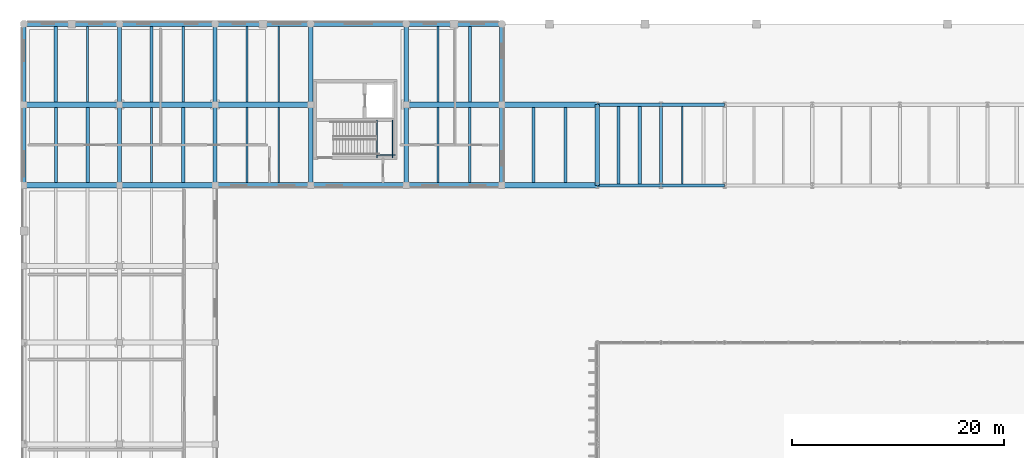
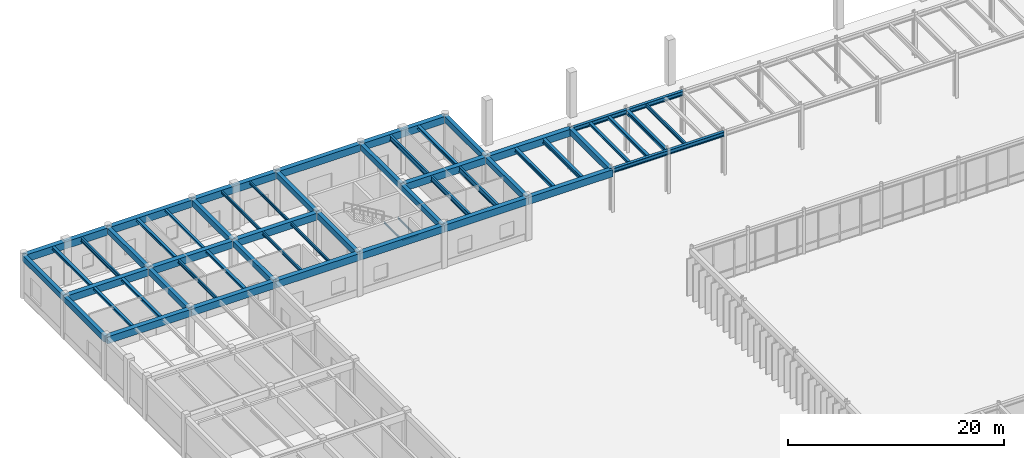
# One storey, part 25 of 64: 58 beams.
"""IFC4 building model written with IfcOpenShell, lengths in metres."""

import ifcopenshell
import ifcopenshell.guid

model = None  # the IFC model being written
_history = None  # IfcOwnerHistory: only IFC2X3 demands one
_inside = {}  # id of a spatial element -> (the spatial element, [elements in it])
_under = {}  # id of a project, library or spatial element -> (it, [spatial elements below it])
_declared = {}  # id of a project -> (the project, [libraries it declares])
_typed = {}  # id of a type object -> (the type object, [elements of that type])
_made_of = {}  # id of a material, layer set ... -> (it, [elements and type objects made of it])


def new_model(schema):
    """Start an empty IFC model of exactly this schema.

    Asked for "IFC4X3", IfcOpenShell would pick the latest addendum, in which some entities
    have other attributes; the version numbers below select the first issue.
    IFC2X3 requires an IfcOwnerHistory on every rooted entity: one is made here for all.
    """
    global model, _history
    if schema == "IFC4X3":
        model = ifcopenshell.file(schema_version=(4, 3, 0, 0))
    else:
        model = ifcopenshell.file(schema=schema)
    _inside.clear()
    _under.clear()
    _declared.clear()
    _typed.clear()
    _made_of.clear()
    _history = None
    if model.schema == "IFC2X3":
        org = make("IfcOrganization", Name="unknown")
        user = make(
            "IfcPersonAndOrganization",
            ThePerson=make("IfcPerson", FamilyName="unknown"),
            TheOrganization=org,
        )
        app = make(
            "IfcApplication",
            ApplicationDeveloper=org,
            Version="unknown",
            ApplicationFullName="unknown",
            ApplicationIdentifier="unknown",
        )
        _history = make(
            "IfcOwnerHistory",
            OwningUser=user,
            OwningApplication=app,
            ChangeAction="ADDED",
            CreationDate=0,
        )
    return model


def make(cls, **values):
    """One entity of the class cls with the attributes given. An attribute that is None is left unset."""
    return model.create_entity(
        cls, **{name: value for name, value in values.items() if value is not None}
    )


def rooted(cls, **values):
    """An entity with a GlobalId (a new one), such as an element, a storey or a relation."""
    return make(cls, GlobalId=ifcopenshell.guid.new(), OwnerHistory=_history, **values)


def si_unit(unit_type, name, prefix=None):
    """IfcSIUnit, for example si_unit("LENGTHUNIT", "METRE", prefix="MILLI")."""
    return make("IfcSIUnit", UnitType=unit_type, Prefix=prefix, Name=name)


def assignment(units):
    """IfcUnitAssignment: the units of a project."""
    return None if units is None else make("IfcUnitAssignment", Units=units)


def point(xyz):
    """IfcCartesianPoint."""
    return None if xyz is None else make("IfcCartesianPoint", Coordinates=xyz)


def direction(xyz):
    """IfcDirection."""
    return None if xyz is None else make("IfcDirection", DirectionRatios=xyz)


def frame(location, z_axis=None, x_axis=None):
    """IfcAxis2Placement3D, a coordinate frame: its origin and axes. An axis left out is left unset."""
    return make(
        "IfcAxis2Placement3D",
        Location=point(location),
        Axis=direction(z_axis),
        RefDirection=direction(x_axis),
    )


def frame_2d(location, x_axis=None):
    """IfcAxis2Placement2D, a coordinate frame in the plane: its origin and x axis."""
    return make(
        "IfcAxis2Placement2D", Location=point(location), RefDirection=direction(x_axis)
    )


def origin():
    """The frame at (0, 0, 0) with its axes left unset."""
    return frame((0.0, 0.0, 0.0))


def origin_2d():
    """The frame at (0, 0) in the plane with its x axis left unset."""
    return frame_2d((0.0, 0.0))


def place(relative_to, where):
    """IfcLocalPlacement: puts the frame where relative to a parent placement (None: the world)."""
    return make(
        "IfcLocalPlacement", PlacementRelTo=relative_to, RelativePlacement=where
    )


def context(
    kind, dimensions, precision=None, world=None, true_north=None, identifier=None
):
    """IfcGeometricRepresentationContext, for example the 3D "Model" context."""
    return make(
        "IfcGeometricRepresentationContext",
        ContextIdentifier=identifier,
        ContextType=kind,
        CoordinateSpaceDimension=dimensions,
        Precision=precision,
        WorldCoordinateSystem=world,
        TrueNorth=true_north,
    )


def subcontext(parent, identifier, kind, view, scale=None):
    """IfcGeometricRepresentationSubContext, for example "Body" below "Model"."""
    return make(
        "IfcGeometricRepresentationSubContext",
        ContextIdentifier=identifier,
        ContextType=kind,
        ParentContext=parent,
        TargetScale=scale,
        TargetView=view,
    )


def project(units=None, contexts=None):
    """IfcProject with its units and contexts."""
    return rooted(
        "IfcProject",
        Name="project",
        RepresentationContexts=contexts,
        UnitsInContext=assignment(units),
    )


def spatial(cls, under=None, at=None, **own):
    """A site, building, storey or space (cls), placed at a placement, below another one or the project."""
    s = rooted(cls, ObjectPlacement=at, **own)
    if under is not None:
        _under.setdefault(under.id(), (under, []))[1].append(s)
    return s


def profile(cls, at=None, kind="AREA", **sizes):
    """A parametric profile (cls). Its sizes go by their IFC names, for example OverallWidth=200.0."""
    return make(cls, ProfileType=kind, Position=at, **sizes)


def rectangle(**sizes):
    """IfcRectangleProfileDef."""
    return profile("IfcRectangleProfileDef", **sizes)


def i_section(**sizes):
    """IfcIShapeProfileDef."""
    return profile("IfcIShapeProfileDef", **sizes)


def extrude(swept, where, along, depth):
    """IfcExtrudedAreaSolid: the profile swept, set in the frame where, extruded along a direction by depth."""
    return make(
        "IfcExtrudedAreaSolid",
        SweptArea=swept,
        Position=where,
        ExtrudedDirection=direction(along),
        Depth=depth,
    )


def shape(context_of_items, identifier, shape_type, items):
    """IfcShapeRepresentation: the items that make up one representation, for example the "Body"."""
    return make(
        "IfcShapeRepresentation",
        ContextOfItems=context_of_items,
        RepresentationIdentifier=identifier,
        RepresentationType=shape_type,
        Items=items,
    )


def material(Name=None, Category=None):
    """IfcMaterial."""
    return make("IfcMaterial", Name=Name, Category=Category)


def material_profile(
    of_material, cross_section, Name=None, Category=None, Priority=None
):
    """IfcMaterialProfile: a cross section and its material."""
    return make(
        "IfcMaterialProfile",
        Name=Name,
        Material=of_material,
        Profile=cross_section,
        Priority=Priority,
        Category=Category,
    )


def profile_set(profiles, Name=None, composite=None):
    """IfcMaterialProfileSet."""
    return make(
        "IfcMaterialProfileSet",
        Name=Name,
        MaterialProfiles=profiles,
        CompositeProfile=composite,
    )


def made_of(thing, what):
    """Note that an element or type object is made of a material, layer set ...; save() writes the relation."""
    if what is not None:
        _made_of.setdefault(what.id(), (what, []))[1].append(thing)
    return thing


def type_object(cls, material=None, **own):
    """A type object (cls), such as IfcWallType, which elements share."""
    return made_of(rooted(cls, **own), material)


def element(
    cls,
    number,
    at=None,
    inside=None,
    cuts=None,
    type_object=None,
    material=None,
    context=None,
    identifier="Body",
    shape_type=None,
    held_by="IfcProductDefinitionShape",
    body=None,
    shapes=None,
    **own,
):
    """One element of the class cls, such as IfcWall. Its Tag is "e" and its number.

    at: its placement. inside: the storey or other place that contains it. cuts: it is an
    opening in that element (IfcRelVoidsElement). A single representation is given by context,
    identifier, shape_type and body (its items); several are given by shapes. held_by: the class
    of the entity that holds the representations. save() writes the other relations.
    """
    e = rooted(cls, Tag="e%d" % number, ObjectPlacement=at, **own)
    if body is not None:
        shapes = [shape(context, identifier, shape_type, body)]
    if shapes is not None:
        e.Representation = make(held_by, Representations=shapes)
    if inside is not None:
        _inside.setdefault(inside.id(), (inside, []))[1].append(e)
    if cuts is not None:
        rooted(
            "IfcRelVoidsElement", RelatingBuildingElement=cuts, RelatedOpeningElement=e
        )
    if type_object is not None:
        _typed.setdefault(type_object.id(), (type_object, []))[1].append(e)
    return made_of(e, material)


def aggregate(whole, parts):
    """IfcRelAggregates: a whole, such as a stair, and the parts it consists of."""
    return rooted("IfcRelAggregates", RelatingObject=whole, RelatedObjects=parts)


def save(model, path):
    """Write the relations noted so far, then the file.

    IfcRelAggregates (storeys below a building ...), IfcRelContainedInSpatialStructure (elements
    in a storey), IfcRelDefinesByType, IfcRelAssociatesMaterial and IfcRelDeclares: one each for
    every whole, place, type object, material and project.
    """
    for whole, parts in _under.values():
        aggregate(whole, parts)
    for where, things in _inside.values():
        rooted(
            "IfcRelContainedInSpatialStructure",
            RelatedElements=things,
            RelatingStructure=where,
        )
    for kind, things in _typed.values():
        rooted("IfcRelDefinesByType", RelatedObjects=things, RelatingType=kind)
    for what, things in _made_of.values():
        rooted("IfcRelAssociatesMaterial", RelatedObjects=things, RelatingMaterial=what)
    for by, libraries in _declared.values():
        rooted("IfcRelDeclares", RelatingContext=by, RelatedDefinitions=libraries)
    model.write(path)


model = new_model("IFC4")

# Units and contexts
model_context = context("Model", 3, precision=1e-05, world=origin(), true_north=direction((0.0, 1.0)))
body_context = subcontext(model_context, "Body", "Model", "MODEL_VIEW")
ifc_project = project(units=[si_unit("LENGTHUNIT", "METRE"), si_unit("AREAUNIT", "SQUARE_METRE"), si_unit("VOLUMEUNIT", "CUBIC_METRE"), si_unit("PLANEANGLEUNIT", "RADIAN"), si_unit("MASSUNIT", "GRAM", prefix="KILO")], contexts=[model_context])

# Site, building, storey
site_placement = place(None, origin())
site = spatial("IfcSite", under=ifc_project, at=site_placement, CompositionType="ELEMENT")
building_placement = place(site_placement, origin())
building = spatial("IfcBuilding", under=site, at=building_placement, Name="Montealbar Specialist Clinic", CompositionType="ELEMENT")
storey_placement = place(building_placement, origin())
storey = spatial("IfcBuildingStorey", under=building, at=storey_placement, Name="L00", CompositionType="ELEMENT", Elevation=0.0)

# Beams
ifc_material_1 = material(Name="Steel S355", Category="steel")
ifc_material_profile_1 = material_profile(ifc_material_1, i_section(OverallWidth=0.300048828125, OverallDepth=0.449951171875, WebThickness=0.013916015625, FlangeThickness=0.02587890625, FilletRadius=0.027099609375, at=origin_2d()), Name="HEB 450", Category="steel")
ifc_profile_set_1 = profile_set([ifc_material_profile_1], Name="Steel S355")
beam_type_1 = type_object("IfcBeamType", Name="BM-GIRD-HEB450", PredefinedType="BEAM", material=ifc_profile_set_1)
beam_1_placement = place(storey_placement, frame((60.0, 95.800048828125, 4.5849609375), z_axis=(0.0, 1.0, 0.0), x_axis=(-1.0, 0.0, 0.0)))
element("IfcBeam", 1, at=beam_1_placement, inside=storey, type_object=beam_type_1, Name="Beam GY-L00-600-958-1034", PredefinedType="BEAM", context=body_context, shape_type="SweptSolid", body=[
    extrude(i_section(OverallWidth=0.300048828125, OverallDepth=0.449951171875, WebThickness=0.013916015625, FlangeThickness=0.02587890625, FilletRadius=0.027099609375, at=origin_2d()), origin(), (0.0, 0.0, 1.0), 7.599853515625),
])
ifc_material_profile_2 = material_profile(ifc_material_1, i_section(OverallWidth=0.300048828125, OverallDepth=0.5, WebThickness=0.014404296875, FlangeThickness=0.028076171875, FilletRadius=0.027099609375, at=origin_2d()), Name="HEB 500", Category="steel")
ifc_profile_set_2 = profile_set([ifc_material_profile_2], Name="Steel S355")
beam_type_2 = type_object("IfcBeamType", Name="BM-GIRD-HEB500", PredefinedType="BEAM", material=ifc_profile_set_2)
for number, where, z_axis, x_axis, name in (
    (2, (54.0, 103.39990234375, 4.56005859375), (1.0, 0.0, 0.0), (0.0, 1.0, 0.0), "Beam GX-L00-540-600-1034"),
    (3, (60.0, 103.39990234375, 4.56005859375), (1.0, 0.0, 0.0), (0.0, 1.0, 0.0), "Beam GX-L00-600-660-1034"),
):
    element("IfcBeam", number, at=place(storey_placement, frame(where, z_axis=z_axis, x_axis=x_axis)), inside=storey, type_object=beam_type_2, Name=name, PredefinedType="BEAM", context=body_context, shape_type="SweptSolid", body=[
        extrude(i_section(OverallWidth=0.300048828125, OverallDepth=0.5, WebThickness=0.014404296875, FlangeThickness=0.028076171875, FilletRadius=0.027099609375, at=origin_2d()), origin(), (0.0, 0.0, 1.0), 6.0),
    ])
ifc_material_profile_3 = material_profile(ifc_material_1, i_section(OverallWidth=0.300048828125, OverallDepth=0.5, WebThickness=0.014404296875, FlangeThickness=0.028076171875, FilletRadius=0.027099609375, at=origin_2d()), Name="HEB 500", Category="steel")
ifc_profile_set_3 = profile_set([ifc_material_profile_3], Name="Steel S355")
beam_type_3 = type_object("IfcBeamType", Name="BM-GIRD-HEB500-EXT", PredefinedType="BEAM", material=ifc_profile_set_3)
for number, where, z_axis, x_axis, name in (
    (4, (54.0, 95.800048828125, 4.56005859375), (1.0, 0.0, 0.0), (0.0, 1.0, 0.0), "Beam GX-L00-540-600-958"),
    (5, (60.0, 95.800048828125, 4.56005859375), (1.0, 0.0, 0.0), (0.0, 1.0, 0.0), "Beam GX-L00-600-660-958"),
):
    element("IfcBeam", number, at=place(storey_placement, frame(where, z_axis=z_axis, x_axis=x_axis)), inside=storey, type_object=beam_type_3, Name=name, PredefinedType="BEAM", context=body_context, shape_type="SweptSolid", body=[
        extrude(i_section(OverallWidth=0.300048828125, OverallDepth=0.5, WebThickness=0.014404296875, FlangeThickness=0.028076171875, FilletRadius=0.027099609375, at=origin_2d()), origin(), (0.0, 0.0, 1.0), 6.0),
    ])
ifc_material_profile_4 = material_profile(ifc_material_1, i_section(OverallWidth=0.300048828125, OverallDepth=0.35009765625, WebThickness=0.010009765625, FlangeThickness=0.017578125, FilletRadius=0.027099609375, at=origin_2d()), Name="HEA 360", Category="steel")
ifc_profile_set_4 = profile_set([ifc_material_profile_4], Name="Steel S355")
beam_type_4 = type_object("IfcBeamType", Name="BM-JST-HEA360", PredefinedType="JOIST", material=ifc_profile_set_4)
beam_2_placement = place(storey_placement, frame((42.0, 103.64990234375, 4.635009765625), z_axis=(0.0, 1.0, 0.0), x_axis=(-1.0, 0.0, 0.0)))
element("IfcBeam", 6, at=beam_2_placement, inside=storey, type_object=beam_type_4, Name="Beam JST-L00-420-1036-1108", PredefinedType="JOIST", context=body_context, shape_type="SweptSolid", body=[
    extrude(i_section(OverallWidth=0.300048828125, OverallDepth=0.35009765625, WebThickness=0.010009765625, FlangeThickness=0.017578125, FilletRadius=0.027099609375, at=origin_2d()), origin(), (0.0, 0.0, 1.0), 7.10009765625),
])
ifc_material_profile_5 = material_profile(ifc_material_1, i_section(OverallWidth=0.300048828125, OverallDepth=0.43994140625, WebThickness=0.011474609375, FlangeThickness=0.02099609375, FilletRadius=0.027099609375, at=origin_2d()), Name="HEA 450", Category="steel")
ifc_profile_set_5 = profile_set([ifc_material_profile_5], Name="Steel S355")
beam_type_5 = type_object("IfcBeamType", Name="BM-JST-HEA450", PredefinedType="JOIST", material=ifc_profile_set_5)
beam_3_placement = place(storey_placement, frame((48.0, 96.050048828125, 4.590087890625), z_axis=(0.0, 1.0, 0.0), x_axis=(-1.0, 0.0, 0.0)))
element("IfcBeam", 7, at=beam_3_placement, inside=storey, type_object=beam_type_5, Name="Beam JST-L00-480-960-1032", PredefinedType="JOIST", context=body_context, shape_type="SweptSolid", body=[
    extrude(i_section(OverallWidth=0.300048828125, OverallDepth=0.43994140625, WebThickness=0.011474609375, FlangeThickness=0.02099609375, FilletRadius=0.027099609375, at=origin_2d()), origin(), (0.0, 0.0, 1.0), 7.099853515625),
])
ifc_material_profile_6 = material_profile(ifc_material_1, i_section(OverallWidth=0.300048828125, OverallDepth=0.489990234375, WebThickness=0.011962890625, FlangeThickness=0.02294921875, FilletRadius=0.027099609375, at=origin_2d()), Name="HEA 500", Category="steel")
ifc_profile_set_6 = profile_set([ifc_material_profile_6], Name="Steel S355")
beam_type_6 = type_object("IfcBeamType", Name="BM-JST-HEA500", PredefinedType="JOIST", material=ifc_profile_set_6)
beam_4_placement = place(storey_placement, frame((51.0, 96.050048828125, 4.56494140625), z_axis=(0.0, 1.0, 0.0), x_axis=(-1.0, 0.0, 0.0)))
element("IfcBeam", 8, at=beam_4_placement, inside=storey, type_object=beam_type_6, Name="Beam JST-L00-510-960-1032", PredefinedType="JOIST", context=body_context, shape_type="SweptSolid", body=[
    extrude(i_section(OverallWidth=0.300048828125, OverallDepth=0.489990234375, WebThickness=0.011962890625, FlangeThickness=0.02294921875, FilletRadius=0.027099609375, at=origin_2d()), origin(), (0.0, 0.0, 1.0), 7.099853515625),
])
ifc_material_profile_7 = material_profile(ifc_material_1, i_section(OverallWidth=0.280029296875, OverallDepth=0.280029296875, WebThickness=0.010498046875, FlangeThickness=0.01806640625, FilletRadius=0.02392578125, at=origin_2d()), Name="HEB 280", Category="steel")
ifc_profile_set_7 = profile_set([ifc_material_profile_7], Name="Steel S355")
beam_type_7 = type_object("IfcBeamType", Name="BM-JST-HEB280", PredefinedType="JOIST", material=ifc_profile_set_7)
beam_5_placement = place(storey_placement, frame((3.0, 96.050048828125, 4.669921875), z_axis=(0.0, 1.0, 0.0), x_axis=(-1.0, 0.0, 0.0)))
element("IfcBeam", 9, at=beam_5_placement, inside=storey, type_object=beam_type_7, Name="Beam JST-L00-30-960-1032", PredefinedType="JOIST", context=body_context, shape_type="SweptSolid", body=[
    extrude(i_section(OverallWidth=0.280029296875, OverallDepth=0.280029296875, WebThickness=0.010498046875, FlangeThickness=0.01806640625, FilletRadius=0.02392578125, at=origin_2d()), origin(), (0.0, 0.0, 1.0), 7.099853515625),
])
beam_6_placement = place(storey_placement, frame((56.0, 95.949951171875, 4.669921875), z_axis=(0.0, 1.0, 0.0), x_axis=(-1.0, 0.0, 0.0)))
element("IfcBeam", 10, at=beam_6_placement, inside=storey, type_object=beam_type_7, Name="Beam JST-L00-560-960-1032", PredefinedType="JOIST", context=body_context, shape_type="SweptSolid", body=[
    extrude(i_section(OverallWidth=0.280029296875, OverallDepth=0.280029296875, WebThickness=0.010498046875, FlangeThickness=0.01806640625, FilletRadius=0.02392578125, at=origin_2d()), origin(), (0.0, 0.0, 1.0), 7.300048828125),
])
ifc_material_profile_8 = material_profile(ifc_material_1, i_section(OverallWidth=0.300048828125, OverallDepth=0.320068359375, WebThickness=0.011474609375, FlangeThickness=0.0205078125, FilletRadius=0.027099609375, at=origin_2d()), Name="HEB 320", Category="steel")
ifc_profile_set_8 = profile_set([ifc_material_profile_8], Name="Steel S355")
beam_type_8 = type_object("IfcBeamType", Name="BM-JST-HEB320", PredefinedType="JOIST", material=ifc_profile_set_8)
beam_7_placement = place(storey_placement, frame((6.0, 96.050048828125, 4.64990234375), z_axis=(0.0, 1.0, 0.0), x_axis=(-1.0, 0.0, 0.0)))
element("IfcBeam", 11, at=beam_7_placement, inside=storey, type_object=beam_type_8, Name="Beam JST-L00-60-960-1032", PredefinedType="JOIST", context=body_context, shape_type="SweptSolid", body=[
    extrude(i_section(OverallWidth=0.300048828125, OverallDepth=0.320068359375, WebThickness=0.011474609375, FlangeThickness=0.0205078125, FilletRadius=0.027099609375, at=origin_2d()), origin(), (0.0, 0.0, 1.0), 7.099853515625),
])
beam_8_placement = place(storey_placement, frame((3.0, 103.64990234375, 4.64990234375), z_axis=(0.0, 1.0, 0.0), x_axis=(-1.0, 0.0, 0.0)))
element("IfcBeam", 12, at=beam_8_placement, inside=storey, type_object=beam_type_8, Name="Beam JST-L00-30-1036-1108", PredefinedType="JOIST", context=body_context, shape_type="SweptSolid", body=[
    extrude(i_section(OverallWidth=0.300048828125, OverallDepth=0.320068359375, WebThickness=0.011474609375, FlangeThickness=0.0205078125, FilletRadius=0.027099609375, at=origin_2d()), origin(), (0.0, 0.0, 1.0), 7.10009765625),
])
beam_9_placement = place(storey_placement, frame((58.0, 95.949951171875, 4.64990234375), z_axis=(0.0, 1.0, 0.0), x_axis=(-1.0, 0.0, 0.0)))
element("IfcBeam", 13, at=beam_9_placement, inside=storey, type_object=beam_type_8, Name="Beam JST-L00-580-960-1032", PredefinedType="JOIST", context=body_context, shape_type="SweptSolid", body=[
    extrude(i_section(OverallWidth=0.300048828125, OverallDepth=0.320068359375, WebThickness=0.011474609375, FlangeThickness=0.0205078125, FilletRadius=0.027099609375, at=origin_2d()), origin(), (0.0, 0.0, 1.0), 7.300048828125),
])
ifc_material_profile_9 = material_profile(ifc_material_1, i_section(OverallWidth=0.14990234375, OverallDepth=0.300048828125, WebThickness=0.007080078125, FlangeThickness=0.0107421875, FilletRadius=0.014892578125, at=origin_2d()), Name="IPE 300", Category="steel")
ifc_profile_set_9 = profile_set([ifc_material_profile_9], Name="Steel S355")
beam_type_9 = type_object("IfcBeamType", Name="BM-JST-IPE300", PredefinedType="JOIST", material=ifc_profile_set_9)
beam_10_placement = place(storey_placement, frame((24.0, 103.64990234375, 4.659912109375), z_axis=(0.0, 1.0, 0.0), x_axis=(-1.0, 0.0, 0.0)))
element("IfcBeam", 14, at=beam_10_placement, inside=storey, type_object=beam_type_9, Name="Beam JST-L00-240-1036-1108", PredefinedType="JOIST", context=body_context, shape_type="SweptSolid", body=[
    extrude(i_section(OverallWidth=0.14990234375, OverallDepth=0.300048828125, WebThickness=0.007080078125, FlangeThickness=0.0107421875, FilletRadius=0.014892578125, at=origin_2d()), origin(), (0.0, 0.0, 1.0), 7.10009765625),
])
ifc_material_profile_10 = material_profile(ifc_material_1, i_section(OverallWidth=0.159912109375, OverallDepth=0.330078125, WebThickness=0.007568359375, FlangeThickness=0.011474609375, FilletRadius=0.01806640625, at=origin_2d()), Name="IPE 330", Category="steel")
ifc_profile_set_10 = profile_set([ifc_material_profile_10], Name="Steel S355")
beam_type_10 = type_object("IfcBeamType", Name="BM-JST-IPE330", PredefinedType="JOIST", material=ifc_profile_set_10)
beam_11_placement = place(storey_placement, frame((24.0, 96.050048828125, 4.64501953125), z_axis=(0.0, 1.0, 0.0), x_axis=(-1.0, 0.0, 0.0)))
element("IfcBeam", 15, at=beam_11_placement, inside=storey, type_object=beam_type_10, Name="Beam JST-L00-240-960-1032", PredefinedType="JOIST", context=body_context, shape_type="SweptSolid", body=[
    extrude(i_section(OverallWidth=0.159912109375, OverallDepth=0.330078125, WebThickness=0.007568359375, FlangeThickness=0.011474609375, FilletRadius=0.01806640625, at=origin_2d()), origin(), (0.0, 0.0, 1.0), 7.099853515625),
])
beam_12_placement = place(storey_placement, frame((21.0, 103.64990234375, 4.64501953125), z_axis=(0.0, 1.0, 0.0), x_axis=(-1.0, 0.0, 0.0)))
element("IfcBeam", 16, at=beam_12_placement, inside=storey, type_object=beam_type_10, Name="Beam JST-L00-210-1036-1108", PredefinedType="JOIST", context=body_context, shape_type="SweptSolid", body=[
    extrude(i_section(OverallWidth=0.159912109375, OverallDepth=0.330078125, WebThickness=0.007568359375, FlangeThickness=0.011474609375, FilletRadius=0.01806640625, at=origin_2d()), origin(), (0.0, 0.0, 1.0), 7.10009765625),
])
ifc_material_profile_11 = material_profile(ifc_material_1, i_section(OverallWidth=0.169921875, OverallDepth=0.360107421875, WebThickness=0.008056640625, FlangeThickness=0.0126953125, FilletRadius=0.01806640625, at=origin_2d()), Name="IPE 360", Category="steel")
ifc_profile_set_11 = profile_set([ifc_material_profile_11], Name="Steel S355")
beam_type_11 = type_object("IfcBeamType", Name="BM-JST-IPE360", PredefinedType="JOIST", material=ifc_profile_set_11)
beam_13_placement = place(storey_placement, frame((21.0, 96.050048828125, 4.6298828125), z_axis=(0.0, 1.0, 0.0), x_axis=(-1.0, 0.0, 0.0)))
element("IfcBeam", 17, at=beam_13_placement, inside=storey, type_object=beam_type_11, Name="Beam JST-L00-210-960-1032", PredefinedType="JOIST", context=body_context, shape_type="SweptSolid", body=[
    extrude(i_section(OverallWidth=0.169921875, OverallDepth=0.360107421875, WebThickness=0.008056640625, FlangeThickness=0.0126953125, FilletRadius=0.01806640625, at=origin_2d()), origin(), (0.0, 0.0, 1.0), 7.099853515625),
])
ifc_material_profile_12 = material_profile(ifc_material_1, i_section(OverallWidth=0.2099609375, OverallDepth=0.550048828125, WebThickness=0.010986328125, FlangeThickness=0.01708984375, FilletRadius=0.02392578125, at=origin_2d()), Name="IPE 550", Category="steel")
ifc_profile_set_12 = profile_set([ifc_material_profile_12], Name="Steel S355")
beam_type_12 = type_object("IfcBeamType", Name="BM-JST-IPE550", PredefinedType="JOIST", material=ifc_profile_set_12)
beam_14_placement = place(storey_placement, frame((39.0, 96.050048828125, 4.534912109375), z_axis=(0.0, 1.0, 0.0), x_axis=(-1.0, 0.0, 0.0)))
element("IfcBeam", 18, at=beam_14_placement, inside=storey, type_object=beam_type_12, Name="Beam JST-L00-390-960-1032", PredefinedType="JOIST", context=body_context, shape_type="SweptSolid", body=[
    extrude(i_section(OverallWidth=0.2099609375, OverallDepth=0.550048828125, WebThickness=0.010986328125, FlangeThickness=0.01708984375, FilletRadius=0.02392578125, at=origin_2d()), origin(), (0.0, 0.0, 1.0), 7.099853515625),
])
ifc_material_profile_13 = material_profile(ifc_material_1, i_section(OverallWidth=0.219970703125, OverallDepth=0.60009765625, WebThickness=0.011962890625, FlangeThickness=0.01904296875, FilletRadius=0.02392578125, at=origin_2d()), Name="IPE 600", Category="steel")
ifc_profile_set_13 = profile_set([ifc_material_profile_13], Name="Steel S355")
beam_type_13 = type_object("IfcBeamType", Name="BM-JST-IPE600", PredefinedType="JOIST", material=ifc_profile_set_13)
beam_15_placement = place(storey_placement, frame((42.0, 96.050048828125, 4.510009765625), z_axis=(0.0, 1.0, 0.0), x_axis=(-1.0, 0.0, 0.0)))
element("IfcBeam", 19, at=beam_15_placement, inside=storey, type_object=beam_type_13, Name="Beam JST-L00-420-960-1032", PredefinedType="JOIST", context=body_context, shape_type="SweptSolid", body=[
    extrude(i_section(OverallWidth=0.219970703125, OverallDepth=0.60009765625, WebThickness=0.011962890625, FlangeThickness=0.01904296875, FilletRadius=0.02392578125, at=origin_2d()), origin(), (0.0, 0.0, 1.0), 7.099853515625),
])
beam_16_placement = place(storey_placement, frame((39.0, 103.64990234375, 4.510009765625), z_axis=(0.0, 1.0, 0.0), x_axis=(-1.0, 0.0, 0.0)))
element("IfcBeam", 20, at=beam_16_placement, inside=storey, type_object=beam_type_13, Name="Beam JST-L00-390-1036-1108", PredefinedType="JOIST", context=body_context, shape_type="SweptSolid", body=[
    extrude(i_section(OverallWidth=0.219970703125, OverallDepth=0.60009765625, WebThickness=0.011962890625, FlangeThickness=0.01904296875, FilletRadius=0.02392578125, at=origin_2d()), origin(), (0.0, 0.0, 1.0), 7.10009765625),
])
ifc_material_profile_14 = material_profile(ifc_material_1, i_section(OverallWidth=0.10009765625, OverallDepth=0.199951171875, WebThickness=0.005615234375, FlangeThickness=0.008544921875, FilletRadius=0.011962890625, at=origin_2d()), Name="IPE 200", Category="steel")
ifc_profile_set_14 = profile_set([ifc_material_profile_14], Name="Steel S355")
beam_type_14 = type_object("IfcBeamType", Name="BM-LINT-IPE200", PredefinedType="LINTEL", material=ifc_profile_set_14)
for number, where, z_axis, x_axis, name in (
    (21, (33.260009765625, 98.39990234375, 2.25), (0.0, 1.0, 0.0), (-1.0, 0.0, 0.0), "Core C2 Stair Landing Beam L00 W"),
    (22, (34.72998046875, 98.39990234375, 2.25), (0.0, 1.0, 0.0), (-1.0, 0.0, 0.0), "Core C2 Stair Landing Beam L00 E"),
):
    element("IfcBeam", number, at=place(storey_placement, frame(where, z_axis=z_axis, x_axis=x_axis)), inside=storey, type_object=beam_type_14, Name=name, PredefinedType="LINTEL", context=body_context, shape_type="SweptSolid", body=[
        extrude(i_section(OverallWidth=0.10009765625, OverallDepth=0.199951171875, WebThickness=0.005615234375, FlangeThickness=0.008544921875, FilletRadius=0.011962890625, at=origin_2d()), origin(), (0.0, 0.0, 1.0), 3.550048828125),
    ])
beam_17_placement = place(storey_placement, frame((33.260009765625, 98.64990234375, 2.25), z_axis=(1.0, 0.0, 0.0), x_axis=(0.0, 1.0, 0.0)))
element("IfcBeam", 23, at=beam_17_placement, inside=storey, type_object=beam_type_14, Name="Core C2 Stair Landing Tie Beam L00", PredefinedType="LINTEL", context=body_context, shape_type="SweptSolid", body=[
    extrude(i_section(OverallWidth=0.10009765625, OverallDepth=0.199951171875, WebThickness=0.005615234375, FlangeThickness=0.008544921875, FilletRadius=0.011962890625, at=origin_2d()), origin(), (0.0, 0.0, 1.0), 1.739990234375),
])
ifc_material_2 = material(Name="Concrete C35/45", Category="concrete")
ifc_material_profile_15 = material_profile(ifc_material_2, rectangle(XDim=0.39990234375, YDim=0.64990234375, at=origin_2d()), Name="RC 400x650", Category="concrete")
ifc_profile_set_15 = profile_set([ifc_material_profile_15], Name="Concrete C35/45")
beam_type_15 = type_object("IfcBeamType", Name="BM-RC-400x650", PredefinedType="BEAM", material=ifc_profile_set_15)
beam_18_placement = place(storey_placement, frame((9.0, 95.800048828125, 4.485107421875), z_axis=(0.0, 1.0, 0.0), x_axis=(-1.0, 0.0, 0.0)))
element("IfcBeam", 24, at=beam_18_placement, inside=storey, type_object=beam_type_15, Name="Beam GY-L00-90-958-1034", PredefinedType="BEAM", context=body_context, shape_type="SweptSolid", body=[
    extrude(rectangle(XDim=0.39990234375, YDim=0.64990234375, at=origin_2d()), origin(), (0.0, 0.0, 1.0), 7.599853515625),
])
beam_19_placement = place(storey_placement, frame((9.0, 103.39990234375, 4.485107421875), z_axis=(0.0, 1.0, 0.0), x_axis=(-1.0, 0.0, 0.0)))
element("IfcBeam", 25, at=beam_19_placement, inside=storey, type_object=beam_type_15, Name="Beam GY-L00-90-1034-1110", PredefinedType="BEAM", context=body_context, shape_type="SweptSolid", body=[
    extrude(rectangle(XDim=0.39990234375, YDim=0.64990234375, at=origin_2d()), origin(), (0.0, 0.0, 1.0), 7.60009765625),
])
beam_20_placement = place(storey_placement, frame((18.0, 95.800048828125, 4.485107421875), z_axis=(0.0, 1.0, 0.0), x_axis=(-1.0, 0.0, 0.0)))
element("IfcBeam", 26, at=beam_20_placement, inside=storey, type_object=beam_type_15, Name="Beam GY-L00-180-958-1034", PredefinedType="BEAM", context=body_context, shape_type="SweptSolid", body=[
    extrude(rectangle(XDim=0.39990234375, YDim=0.64990234375, at=origin_2d()), origin(), (0.0, 0.0, 1.0), 7.599853515625),
])
beam_21_placement = place(storey_placement, frame((18.0, 103.39990234375, 4.485107421875), z_axis=(0.0, 1.0, 0.0), x_axis=(-1.0, 0.0, 0.0)))
element("IfcBeam", 27, at=beam_21_placement, inside=storey, type_object=beam_type_15, Name="Beam GY-L00-180-1034-1110", PredefinedType="BEAM", context=body_context, shape_type="SweptSolid", body=[
    extrude(rectangle(XDim=0.39990234375, YDim=0.64990234375, at=origin_2d()), origin(), (0.0, 0.0, 1.0), 7.60009765625),
])
beam_22_placement = place(storey_placement, frame((27.0, 95.800048828125, 4.485107421875), z_axis=(0.0, 1.0, 0.0), x_axis=(-1.0, 0.0, 0.0)))
element("IfcBeam", 28, at=beam_22_placement, inside=storey, type_object=beam_type_15, Name="Beam GY-L00-270-958-1034", PredefinedType="BEAM", context=body_context, shape_type="SweptSolid", body=[
    extrude(rectangle(XDim=0.39990234375, YDim=0.64990234375, at=origin_2d()), origin(), (0.0, 0.0, 1.0), 7.599853515625),
])
beam_23_placement = place(storey_placement, frame((27.0, 103.39990234375, 4.485107421875), z_axis=(0.0, 1.0, 0.0), x_axis=(-1.0, 0.0, 0.0)))
element("IfcBeam", 29, at=beam_23_placement, inside=storey, type_object=beam_type_15, Name="Beam GY-L00-270-1034-1110", PredefinedType="BEAM", context=body_context, shape_type="SweptSolid", body=[
    extrude(rectangle(XDim=0.39990234375, YDim=0.64990234375, at=origin_2d()), origin(), (0.0, 0.0, 1.0), 7.60009765625),
])
beam_24_placement = place(storey_placement, frame((36.0, 95.800048828125, 4.485107421875), z_axis=(0.0, 1.0, 0.0), x_axis=(-1.0, 0.0, 0.0)))
element("IfcBeam", 30, at=beam_24_placement, inside=storey, type_object=beam_type_15, Name="Beam GY-L00-360-958-1034", PredefinedType="BEAM", context=body_context, shape_type="SweptSolid", body=[
    extrude(rectangle(XDim=0.39990234375, YDim=0.64990234375, at=origin_2d()), origin(), (0.0, 0.0, 1.0), 7.599853515625),
])
beam_25_placement = place(storey_placement, frame((36.0, 103.39990234375, 4.485107421875), z_axis=(0.0, 1.0, 0.0), x_axis=(-1.0, 0.0, 0.0)))
element("IfcBeam", 31, at=beam_25_placement, inside=storey, type_object=beam_type_15, Name="Beam GY-L00-360-1034-1110", PredefinedType="BEAM", context=body_context, shape_type="SweptSolid", body=[
    extrude(rectangle(XDim=0.39990234375, YDim=0.64990234375, at=origin_2d()), origin(), (0.0, 0.0, 1.0), 7.60009765625),
])
for number, where, z_axis, x_axis, name in (
    (32, (45.0, 95.800048828125, 4.485107421875), (0.0, 1.0, 0.0), (-1.0, 0.0, 0.0), "Beam GY-L00-450-958-1034"),
    (33, (54.0, 95.800048828125, 4.485107421875), (0.0, 1.0, 0.0), (-1.0, 0.0, 0.0), "Beam GY-L00-540-958-1034"),
):
    element("IfcBeam", number, at=place(storey_placement, frame(where, z_axis=z_axis, x_axis=x_axis)), inside=storey, type_object=beam_type_15, Name=name, PredefinedType="BEAM", context=body_context, shape_type="SweptSolid", body=[
        extrude(rectangle(XDim=0.39990234375, YDim=0.64990234375, at=origin_2d()), origin(), (0.0, 0.0, 1.0), 7.599853515625),
    ])
ifc_material_profile_16 = material_profile(ifc_material_2, rectangle(XDim=0.39990234375, YDim=0.64990234375, at=origin_2d()), Name="RC 400x650", Category="concrete")
ifc_profile_set_16 = profile_set([ifc_material_profile_16], Name="Concrete C35/45")
beam_type_16 = type_object("IfcBeamType", Name="BM-RC-400x650-EXT", PredefinedType="BEAM", material=ifc_profile_set_16)
beam_26_placement = place(storey_placement, frame((0.0, 95.800048828125, 4.485107421875), z_axis=(0.0, 1.0, 0.0), x_axis=(-1.0, 0.0, 0.0)))
element("IfcBeam", 34, at=beam_26_placement, inside=storey, type_object=beam_type_16, Name="Beam GY-L00-0-958-1034", PredefinedType="BEAM", context=body_context, shape_type="SweptSolid", body=[
    extrude(rectangle(XDim=0.39990234375, YDim=0.64990234375, at=origin_2d()), origin(), (0.0, 0.0, 1.0), 7.599853515625),
])
for number, where, z_axis, x_axis, name in (
    (35, (0.0, 103.39990234375, 4.485107421875), (0.0, 1.0, 0.0), (-1.0, 0.0, 0.0), "Beam GY-L00-0-1034-1110"),
    (36, (45.0, 103.39990234375, 4.485107421875), (0.0, 1.0, 0.0), (-1.0, 0.0, 0.0), "Beam GY-L00-450-1034-1110"),
):
    element("IfcBeam", number, at=place(storey_placement, frame(where, z_axis=z_axis, x_axis=x_axis)), inside=storey, type_object=beam_type_16, Name=name, PredefinedType="BEAM", context=body_context, shape_type="SweptSolid", body=[
        extrude(rectangle(XDim=0.39990234375, YDim=0.64990234375, at=origin_2d()), origin(), (0.0, 0.0, 1.0), 7.60009765625),
    ])
ifc_material_profile_17 = material_profile(ifc_material_2, rectangle(XDim=0.5, YDim=0.800048828125, at=origin_2d()), Name="RC 500x800", Category="concrete")
ifc_profile_set_17 = profile_set([ifc_material_profile_17], Name="Concrete C35/45")
beam_type_17 = type_object("IfcBeamType", Name="BM-RC-500x800", PredefinedType="BEAM", material=ifc_profile_set_17)
for number, where, z_axis, x_axis, name in (
    (37, (0.0, 95.800048828125, 4.409912109375), (1.0, 0.0, 0.0), (0.0, 1.0, 0.0), "Beam GX-L00-0-90-958"),
    (38, (9.0, 95.800048828125, 4.409912109375), (1.0, 0.0, 0.0), (0.0, 1.0, 0.0), "Beam GX-L00-90-180-958"),
    (39, (0.0, 103.39990234375, 4.409912109375), (1.0, 0.0, 0.0), (0.0, 1.0, 0.0), "Beam GX-L00-0-90-1034"),
    (40, (9.0, 103.39990234375, 4.409912109375), (1.0, 0.0, 0.0), (0.0, 1.0, 0.0), "Beam GX-L00-90-180-1034"),
    (41, (18.0, 103.39990234375, 4.409912109375), (1.0, 0.0, 0.0), (0.0, 1.0, 0.0), "Beam GX-L00-180-270-1034"),
    (42, (36.0, 103.39990234375, 4.409912109375), (1.0, 0.0, 0.0), (0.0, 1.0, 0.0), "Beam GX-L00-360-450-1034"),
    (43, (45.0, 103.39990234375, 4.409912109375), (1.0, 0.0, 0.0), (0.0, 1.0, 0.0), "Beam GX-L00-450-540-1034"),
):
    element("IfcBeam", number, at=place(storey_placement, frame(where, z_axis=z_axis, x_axis=x_axis)), inside=storey, type_object=beam_type_17, Name=name, PredefinedType="BEAM", context=body_context, shape_type="SweptSolid", body=[
        extrude(rectangle(XDim=0.5, YDim=0.800048828125, at=origin_2d()), origin(), (0.0, 0.0, 1.0), 9.0),
    ])
ifc_material_profile_18 = material_profile(ifc_material_2, rectangle(XDim=0.5, YDim=0.800048828125, at=origin_2d()), Name="RC 500x800", Category="concrete")
ifc_profile_set_18 = profile_set([ifc_material_profile_18], Name="Concrete C35/45")
beam_type_18 = type_object("IfcBeamType", Name="BM-RC-500x800-EXT", PredefinedType="BEAM", material=ifc_profile_set_18)
for number, where, z_axis, x_axis, name in (
    (44, (18.0, 95.800048828125, 4.409912109375), (1.0, 0.0, 0.0), (0.0, 1.0, 0.0), "Beam GX-L00-180-270-958"),
    (45, (27.0, 95.800048828125, 4.409912109375), (1.0, 0.0, 0.0), (0.0, 1.0, 0.0), "Beam GX-L00-270-360-958"),
    (46, (36.0, 95.800048828125, 4.409912109375), (1.0, 0.0, 0.0), (0.0, 1.0, 0.0), "Beam GX-L00-360-450-958"),
    (47, (45.0, 95.800048828125, 4.409912109375), (1.0, 0.0, 0.0), (0.0, 1.0, 0.0), "Beam GX-L00-450-540-958"),
    (48, (0.0, 111.0, 4.409912109375), (1.0, 0.0, 0.0), (0.0, 1.0, 0.0), "Beam GX-L00-0-90-1110"),
    (49, (9.0, 111.0, 4.409912109375), (1.0, 0.0, 0.0), (0.0, 1.0, 0.0), "Beam GX-L00-90-180-1110"),
    (50, (18.0, 111.0, 4.409912109375), (1.0, 0.0, 0.0), (0.0, 1.0, 0.0), "Beam GX-L00-180-270-1110"),
    (51, (27.0, 111.0, 4.409912109375), (1.0, 0.0, 0.0), (0.0, 1.0, 0.0), "Beam GX-L00-270-360-1110"),
    (52, (36.0, 111.0, 4.409912109375), (1.0, 0.0, 0.0), (0.0, 1.0, 0.0), "Beam GX-L00-360-450-1110"),
):
    element("IfcBeam", number, at=place(storey_placement, frame(where, z_axis=z_axis, x_axis=x_axis)), inside=storey, type_object=beam_type_18, Name=name, PredefinedType="BEAM", context=body_context, shape_type="SweptSolid", body=[
        extrude(rectangle(XDim=0.5, YDim=0.800048828125, at=origin_2d()), origin(), (0.0, 0.0, 1.0), 9.0),
    ])
ifc_material_profile_19 = material_profile(ifc_material_1, i_section(OverallWidth=0.179931640625, OverallDepth=0.39990234375, WebThickness=0.008544921875, FlangeThickness=0.013427734375, FilletRadius=0.02099609375, at=origin_2d()), Name="IPE 400", Category="steel")
ifc_profile_set_19 = profile_set([ifc_material_profile_19], Name="Steel S355")
beam_type_19 = type_object("IfcBeamType", Name="BM-SEC-IPE400", PredefinedType="BEAM", material=ifc_profile_set_19)
beam_27_placement = place(storey_placement, frame((12.0, 96.050048828125, 4.610107421875), z_axis=(0.0, 1.0, 0.0), x_axis=(-1.0, 0.0, 0.0)))
element("IfcBeam", 53, at=beam_27_placement, inside=storey, type_object=beam_type_19, Name="Beam JST-L00-120-960-1032", PredefinedType="BEAM", context=body_context, shape_type="SweptSolid", body=[
    extrude(i_section(OverallWidth=0.179931640625, OverallDepth=0.39990234375, WebThickness=0.008544921875, FlangeThickness=0.013427734375, FilletRadius=0.02099609375, at=origin_2d()), origin(), (0.0, 0.0, 1.0), 7.099853515625),
])
beam_28_placement = place(storey_placement, frame((62.0, 95.949951171875, 4.610107421875), z_axis=(0.0, 1.0, 0.0), x_axis=(-1.0, 0.0, 0.0)))
element("IfcBeam", 54, at=beam_28_placement, inside=storey, type_object=beam_type_19, Name="Beam JST-L00-620-960-1032", PredefinedType="BEAM", context=body_context, shape_type="SweptSolid", body=[
    extrude(i_section(OverallWidth=0.179931640625, OverallDepth=0.39990234375, WebThickness=0.008544921875, FlangeThickness=0.013427734375, FilletRadius=0.02099609375, at=origin_2d()), origin(), (0.0, 0.0, 1.0), 7.300048828125),
])
ifc_material_profile_20 = material_profile(ifc_material_1, i_section(OverallWidth=0.18994140625, OverallDepth=0.449951171875, WebThickness=0.009521484375, FlangeThickness=0.0146484375, FilletRadius=0.02099609375, at=origin_2d()), Name="IPE 450", Category="steel")
ifc_profile_set_20 = profile_set([ifc_material_profile_20], Name="Steel S355")
beam_type_20 = type_object("IfcBeamType", Name="BM-SEC-IPE450", PredefinedType="BEAM", material=ifc_profile_set_20)
beam_29_placement = place(storey_placement, frame((6.0, 103.64990234375, 4.5849609375), z_axis=(0.0, 1.0, 0.0), x_axis=(-1.0, 0.0, 0.0)))
element("IfcBeam", 55, at=beam_29_placement, inside=storey, type_object=beam_type_20, Name="Beam JST-L00-60-1036-1108", PredefinedType="BEAM", context=body_context, shape_type="SweptSolid", body=[
    extrude(i_section(OverallWidth=0.18994140625, OverallDepth=0.449951171875, WebThickness=0.009521484375, FlangeThickness=0.0146484375, FilletRadius=0.02099609375, at=origin_2d()), origin(), (0.0, 0.0, 1.0), 7.10009765625),
])
ifc_material_profile_21 = material_profile(ifc_material_1, i_section(OverallWidth=0.239990234375, OverallDepth=0.22998046875, WebThickness=0.007568359375, FlangeThickness=0.011962890625, FilletRadius=0.02099609375, at=origin_2d()), Name="HEA 240", Category="steel")
ifc_profile_set_21 = profile_set([ifc_material_profile_21], Name="Steel S355")
beam_type_21 = type_object("IfcBeamType", Name="BM-SPAND-HEA240", PredefinedType="SPANDREL", material=ifc_profile_set_21)
beam_30_placement = place(storey_placement, frame((15.0, 103.64990234375, 4.695068359375), z_axis=(0.0, 1.0, 0.0), x_axis=(-1.0, 0.0, 0.0)))
element("IfcBeam", 56, at=beam_30_placement, inside=storey, type_object=beam_type_21, Name="Beam JST-L00-150-1036-1108", PredefinedType="SPANDREL", context=body_context, shape_type="SweptSolid", body=[
    extrude(i_section(OverallWidth=0.239990234375, OverallDepth=0.22998046875, WebThickness=0.007568359375, FlangeThickness=0.011962890625, FilletRadius=0.02099609375, at=origin_2d()), origin(), (0.0, 0.0, 1.0), 7.10009765625),
])
ifc_material_profile_22 = material_profile(ifc_material_1, i_section(OverallWidth=0.300048828125, OverallDepth=0.2900390625, WebThickness=0.008544921875, FlangeThickness=0.013916015625, FilletRadius=0.027099609375, at=origin_2d()), Name="HEA 300", Category="steel")
ifc_profile_set_22 = profile_set([ifc_material_profile_22], Name="Steel S355")
beam_type_22 = type_object("IfcBeamType", Name="BM-SPAND-HEA300", PredefinedType="SPANDREL", material=ifc_profile_set_22)
beam_31_placement = place(storey_placement, frame((15.0, 96.050048828125, 4.6650390625), z_axis=(0.0, 1.0, 0.0), x_axis=(-1.0, 0.0, 0.0)))
element("IfcBeam", 57, at=beam_31_placement, inside=storey, type_object=beam_type_22, Name="Beam JST-L00-150-960-1032", PredefinedType="SPANDREL", context=body_context, shape_type="SweptSolid", body=[
    extrude(i_section(OverallWidth=0.300048828125, OverallDepth=0.2900390625, WebThickness=0.008544921875, FlangeThickness=0.013916015625, FilletRadius=0.027099609375, at=origin_2d()), origin(), (0.0, 0.0, 1.0), 7.099853515625),
])
beam_32_placement = place(storey_placement, frame((12.0, 103.64990234375, 4.6650390625), z_axis=(0.0, 1.0, 0.0), x_axis=(-1.0, 0.0, 0.0)))
element("IfcBeam", 58, at=beam_32_placement, inside=storey, type_object=beam_type_22, Name="Beam JST-L00-120-1036-1108", PredefinedType="SPANDREL", context=body_context, shape_type="SweptSolid", body=[
    extrude(i_section(OverallWidth=0.300048828125, OverallDepth=0.2900390625, WebThickness=0.008544921875, FlangeThickness=0.013916015625, FilletRadius=0.027099609375, at=origin_2d()), origin(), (0.0, 0.0, 1.0), 7.10009765625),
])

save(model, "model.ifc")
